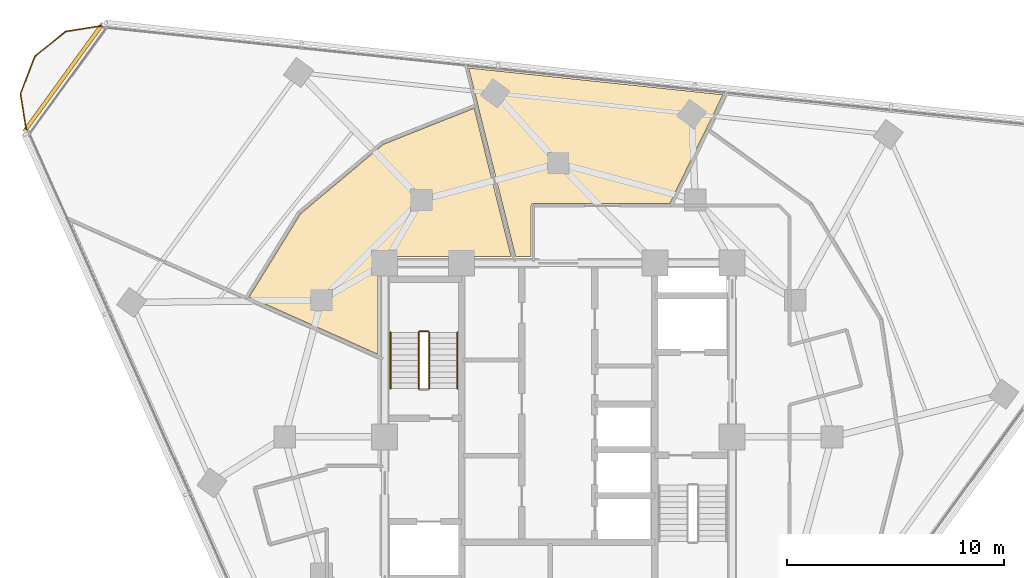
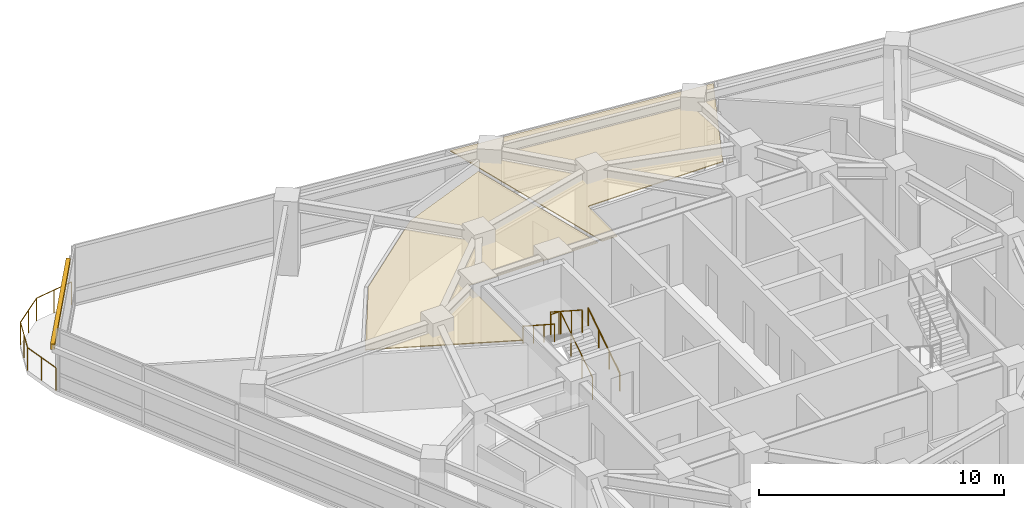
# One storey, part 14 of 15: 6 railings, 2 coverings, 1 shading device.
"""IFC4 building model written with IfcOpenShell, lengths in metres."""

from ifc_helpers import new_model, si_unit, direction, frame, origin, origin_2d, place, context, subcontext, project, spatial, polyline, rectangle, circle, outline, extrude, material, layer, layer_set, type_object, element, save


model = new_model("IFC4")

# Units and contexts
model_context = context("Model", 3, precision=1e-05, world=origin(), true_north=direction((0.0, 1.0)))
body_context = subcontext(model_context, "Body", "Model", "MODEL_VIEW")
ifc_project = project(units=[si_unit("LENGTHUNIT", "METRE"), si_unit("AREAUNIT", "SQUARE_METRE"), si_unit("VOLUMEUNIT", "CUBIC_METRE"), si_unit("PLANEANGLEUNIT", "RADIAN"), si_unit("MASSUNIT", "GRAM", prefix="KILO")], contexts=[model_context])

# Site, building, storey
site_placement = place(None, origin())
site = spatial("IfcSite", under=ifc_project, at=site_placement, CompositionType="ELEMENT")
building_placement = place(site_placement, origin())
building = spatial("IfcBuilding", under=site, at=building_placement, Name="Terralouvre Media Tower", CompositionType="ELEMENT")
storey_placement = place(building_placement, frame((0.0, 0.0, 230.0)))
storey = spatial("IfcBuildingStorey", under=building, at=storey_placement, Name="L59", CompositionType="ELEMENT", Elevation=230.0)

# Coverings
ifc_material_1 = material(Name="Perforated aluminium acoustic ceiling baffle", Category="aluminium")
ifc_layer_1 = layer(ifc_material_1, 0.0400390625, Name="Perforated Acoustic Metal Tile Ceiling CL-AC1")
ifc_layer_set_1 = layer_set([ifc_layer_1], Name="Perforated aluminium acoustic ceiling baffle")
covering_type = type_object("IfcCoveringType", Name="Perforated Acoustic Metal Tile Ceiling CL-AC1", PredefinedType="CEILING", material=ifc_layer_set_1)
covering_1_placement = place(storey_placement, frame((0.0, 0.0, 2.97998046875), z_axis=(0.0, 0.0, 1.0), x_axis=(0.587785252292, 0.809016994375, 0.0)))
element("IfcCovering", 1, at=covering_1_placement, inside=storey, type_object=covering_type, Name="L59 Legal Vetting Conference Room 8 Acoustic Ceiling", PredefinedType="CEILING", context=body_context, shape_type="SweptSolid", body=[
    extrude(outline(polyline([(5.565673828125, 6.477294921875), (5.98828125, 5.895751953125), (7.88134765625, 7.271240234375), (7.889404296875, 7.276611328125), (7.898193359375, 7.281005859375), (7.9072265625, 7.28466796875), (7.916748046875, 7.28759765625), (7.92626953125, 7.289306640625), (7.936279296875, 7.290283203125), (7.946044921875, 7.2900390625), (7.955810546875, 7.2890625), (7.96533203125, 7.287109375), (7.974609375, 7.2841796875), (7.983642578125, 7.2802734375), (7.992431640625, 7.275634765625), (8.00048828125, 7.27001953125), (8.008056640625, 7.263671875), (8.014892578125, 7.256591796875), (8.02099609375, 7.2490234375), (11.713134765625, 2.167236328125), (15.4658203125, 2.82861328125), (17.202392578125, 3.134521484375), (11.3154296875, 13.330322265625), (10.19287109375, 11.99267578125), (5.565673828125, 6.477294921875)])), origin(), (0.0, 0.0, 1.0), 0.0400390625),
])
covering_2_placement = place(storey_placement, frame((0.0, 0.0, 2.97998046875), z_axis=(0.0, 0.0, 1.0), x_axis=(0.587785252292, 0.809016994375, 0.0)))
element("IfcCovering", 2, at=covering_2_placement, inside=storey, type_object=covering_type, Name="L59 Fact-Check Reference Library 9 Acoustic Ceiling", PredefinedType="CEILING", context=body_context, shape_type="SweptSolid", body=[
    extrude(outline(polyline([(6.17626953125, 14.432861328125), (1.322509765625, 15.643310546875), (-3.150390625, 15.303955078125), (-1.802978515625, 8.9619140625), (1.757568359375, 11.548583984375), (1.765869140625, 11.553955078125), (1.7744140625, 11.55859375), (1.783447265625, 11.562255859375), (1.79296875, 11.56494140625), (1.802490234375, 11.56689453125), (1.8125, 11.567626953125), (1.822265625, 11.567626953125), (1.83203125, 11.56640625), (1.841552734375, 11.564453125), (1.850830078125, 11.5615234375), (1.85986328125, 11.5576171875), (1.86865234375, 11.552978515625), (1.876708984375, 11.54736328125), (1.88427734375, 11.541259765625), (1.89111328125, 11.5341796875), (1.897216796875, 11.526611328125), (5.444580078125, 6.64404296875), (9.966064453125, 12.033447265625), (6.17626953125, 14.432861328125)])), origin(), (0.0, 0.0, 1.0), 0.0400390625),
])

# Railings
ifc_material_2 = material(Name="Stainless steel 316 handrail and balustrade", Category="steel")
ifc_layer_2 = layer(ifc_material_2, 0.06005859375, Name="Roof Edge Safety Guardrail GR-ROOF1")
ifc_layer_set_2 = layer_set([ifc_layer_2], Name="Stainless steel 316 handrail and balustrade")
railing_type_1 = type_object("IfcRailingType", Name="Roof Edge Safety Guardrail GR-ROOF1", PredefinedType="GUARDRAIL", material=ifc_layer_set_2)
railing_1_placement = place(storey_placement, frame((-20.870361328125, 18.961181640625, 0.0)))
element("IfcRailing", 3, at=railing_1_placement, inside=storey, type_object=railing_type_1, Name="L59 Wind-Corner Perimeter Safety Guardrail C2", PredefinedType="GUARDRAIL", context=body_context, shape_type="SweptSolid", body=[
    extrude(circle(Radius=0.02099609375, at=origin_2d()), frame((0.0, 0.0, 1.12890625), z_axis=(-0.987731695444, -0.156160487372, 0.0), x_axis=(0.156160487372, -0.987731695444, 0.0)), (0.0, 0.0, 1.0), 1.8369140625),
    extrude(circle(Radius=0.02099609375, at=origin_2d()), frame((-1.814453125, -0.286865234375, 1.12890625), z_axis=(-0.777198436724, -0.629255583967, 0.0), x_axis=(0.629255583967, -0.777198436724, 0.0)), (0.0, 0.0, 1.0), 1.836669921875),
    extrude(circle(Radius=0.02099609375, at=origin_2d()), frame((-3.241943359375, -1.442626953125, 1.12890625), z_axis=(-0.35822186013, -0.933636491856, 0.0), x_axis=(0.933636491856, -0.35822186013, 0.0)), (0.0, 0.0, 1.0), 1.836669921875),
    extrude(circle(Radius=0.02099609375, at=origin_2d()), frame((-3.89990234375, -3.157470703125, 1.12890625), z_axis=(0.156699635824, -0.987646305178, 0.0), x_axis=(0.987646305178, 0.156699635824, 0.0)), (0.0, 0.0, 1.0), 1.8369140625),
    extrude(circle(Radius=0.01904296875, at=origin_2d()), origin(), (0.0, 0.0, 1.0), 1.10791015625),
    extrude(circle(Radius=0.01904296875, at=origin_2d()), frame((-0.9072265625, -0.1435546875, 0.0)), (0.0, 0.0, 1.0), 1.10791015625),
    extrude(circle(Radius=0.01904296875, at=origin_2d()), frame((-1.814453125, -0.286865234375, 0.0)), (0.0, 0.0, 1.0), 1.10791015625),
    extrude(circle(Radius=0.01904296875, at=origin_2d()), frame((-2.5283203125, -0.86474609375, 0.0)), (0.0, 0.0, 1.0), 1.10791015625),
    extrude(circle(Radius=0.01904296875, at=origin_2d()), frame((-3.241943359375, -1.442626953125, 0.0)), (0.0, 0.0, 1.0), 1.10791015625),
    extrude(circle(Radius=0.01904296875, at=origin_2d()), frame((-3.57080078125, -2.300048828125, 0.0)), (0.0, 0.0, 1.0), 1.10791015625),
    extrude(circle(Radius=0.01904296875, at=origin_2d()), frame((-3.89990234375, -3.157470703125, 0.0)), (0.0, 0.0, 1.0), 1.10791015625),
    extrude(circle(Radius=0.01904296875, at=origin_2d()), frame((-3.755859375, -4.064453125, 0.0)), (0.0, 0.0, 1.0), 1.10791015625),
    extrude(circle(Radius=0.01904296875, at=origin_2d()), frame((-3.612060546875, -4.9716796875, 0.0)), (0.0, 0.0, 1.0), 1.10791015625),
])
ifc_material_3 = material(Name="Stainless steel 316 handrail and balustrade", Category="steel")
ifc_layer_3 = layer(ifc_material_3, 0.050048828125, Name="Stair Flight Wall Handrail HR-INT1")
ifc_layer_set_3 = layer_set([ifc_layer_3], Name="Stainless steel 316 handrail and balustrade")
railing_type_2 = type_object("IfcRailingType", Name="Stair Flight Wall Handrail HR-INT1", PredefinedType="HANDRAIL", material=ifc_layer_set_3)
railing_2_placement = place(storey_placement, frame((-4.64990234375, 2.219970703125, 0.168212890625)))
element("IfcRailing", 4, at=railing_2_placement, inside=storey, type_object=railing_type_2, Name="L59 ST-01 stair handrail 1", PredefinedType="HANDRAIL", context=body_context, shape_type="SweptSolid", body=[
    extrude(circle(Radius=0.02392578125, at=origin_2d()), frame((0.0, 0.0, 0.8759765625), z_axis=(0.0, 0.839648411786, 0.543130320075), x_axis=(-1.0, 0.0, 0.0)), (0.0, 0.0, 1.0), 3.0966796875),
    extrude(circle(Radius=0.02099609375, at=origin_2d()), origin(), (0.0, 0.0, 1.0), 0.851806640625),
    extrude(circle(Radius=0.02099609375, at=origin_2d()), frame((0.0, 0.86669921875, 0.560546875)), (0.0, 0.0, 1.0), 0.851806640625),
    extrude(circle(Radius=0.02099609375, at=origin_2d()), frame((0.0, 1.7333984375, 1.121337890625)), (0.0, 0.0, 1.0), 0.851806640625),
    extrude(circle(Radius=0.02099609375, at=origin_2d()), frame((0.0, 2.60009765625, 1.681884765625)), (0.0, 0.0, 1.0), 0.851806640625),
])
railing_3_placement = place(storey_placement, frame((-7.72998046875, 4.820068359375, 2.01806640625)))
element("IfcRailing", 5, at=railing_3_placement, inside=storey, type_object=railing_type_2, Name="L59 ST-01 stair handrail 2", PredefinedType="HANDRAIL", context=body_context, shape_type="SweptSolid", body=[
    extrude(circle(Radius=0.02392578125, at=origin_2d()), frame((0.0, 0.0, 0.8759765625), z_axis=(0.0, -0.839648411786, 0.543130320075), x_axis=(1.0, 0.0, 0.0)), (0.0, 0.0, 1.0), 3.0966796875),
    extrude(circle(Radius=0.02099609375, at=origin_2d()), origin(), (0.0, 0.0, 1.0), 0.851806640625),
    extrude(circle(Radius=0.02099609375, at=origin_2d()), frame((0.0, -0.86669921875, 0.560546875)), (0.0, 0.0, 1.0), 0.851806640625),
    extrude(circle(Radius=0.02099609375, at=origin_2d()), frame((0.0, -1.7333984375, 1.121337890625)), (0.0, 0.0, 1.0), 0.851806640625),
    extrude(circle(Radius=0.02099609375, at=origin_2d()), frame((0.0, -2.60009765625, 1.681884765625)), (0.0, 0.0, 1.0), 0.851806640625),
])
ifc_material_4 = material(Name="Stainless steel 316 handrail and balustrade", Category="steel")
ifc_layer_4 = layer(ifc_material_4, 0.050048828125, Name="Stairwell Safety Guardrail GR-INT1")
ifc_layer_set_4 = layer_set([ifc_layer_4], Name="Stainless steel 316 handrail and balustrade")
railing_type_3 = type_object("IfcRailingType", Name="Stairwell Safety Guardrail GR-INT1", PredefinedType="GUARDRAIL", material=ifc_layer_set_4)
railing_4_placement = place(storey_placement, frame((-5.949951171875, 2.219970703125, 0.168212890625)))
element("IfcRailing", 6, at=railing_4_placement, inside=storey, type_object=railing_type_3, Name="L59 ST-01 stair guard 1", PredefinedType="GUARDRAIL", context=body_context, shape_type="SweptSolid", body=[
    extrude(circle(Radius=0.02392578125, at=origin_2d()), frame((0.0, 0.0, 1.1259765625), z_axis=(0.0, 0.839648411786, 0.543130320075), x_axis=(-1.0, 0.0, 0.0)), (0.0, 0.0, 1.0), 3.0966796875),
    extrude(circle(Radius=0.02099609375, at=origin_2d()), origin(), (0.0, 0.0, 1.0), 1.101806640625),
    extrude(circle(Radius=0.02099609375, at=origin_2d()), frame((0.0, 0.86669921875, 0.560546875)), (0.0, 0.0, 1.0), 1.101806640625),
    extrude(circle(Radius=0.02099609375, at=origin_2d()), frame((0.0, 1.7333984375, 1.121337890625)), (0.0, 0.0, 1.0), 1.101806640625),
    extrude(circle(Radius=0.02099609375, at=origin_2d()), frame((0.0, 2.60009765625, 1.681884765625)), (0.0, 0.0, 1.0), 1.101806640625),
])
railing_5_placement = place(storey_placement, frame((-6.0, 4.8701171875, 1.85009765625)))
element("IfcRailing", 7, at=railing_5_placement, inside=storey, type_object=railing_type_3, Name="L59 ST-01 stair guard 2", PredefinedType="GUARDRAIL", context=body_context, shape_type="SweptSolid", body=[
    extrude(circle(Radius=0.02392578125, at=origin_2d()), frame((0.0, 0.0, 1.1259765625), z_axis=(-1.0, 0.0, 0.0), x_axis=(0.0, -1.0, 0.0)), (0.0, 0.0, 1.0), 0.3798828125),
    extrude(circle(Radius=0.02099609375, at=origin_2d()), origin(), (0.0, 0.0, 1.0), 1.101806640625),
    extrude(circle(Radius=0.02099609375, at=origin_2d()), frame((-0.3798828125, 0.0, 0.0)), (0.0, 0.0, 1.0), 1.101806640625),
])
railing_6_placement = place(storey_placement, frame((-6.429931640625, 4.820068359375, 2.01806640625)))
element("IfcRailing", 8, at=railing_6_placement, inside=storey, type_object=railing_type_3, Name="L59 ST-01 stair guard 3", PredefinedType="GUARDRAIL", context=body_context, shape_type="SweptSolid", body=[
    extrude(circle(Radius=0.02392578125, at=origin_2d()), frame((0.0, 0.0, 1.1259765625), z_axis=(0.0, -0.839648411786, 0.543130320075), x_axis=(1.0, 0.0, 0.0)), (0.0, 0.0, 1.0), 3.0966796875),
    extrude(circle(Radius=0.02099609375, at=origin_2d()), origin(), (0.0, 0.0, 1.0), 1.101806640625),
    extrude(circle(Radius=0.02099609375, at=origin_2d()), frame((0.0, -0.86669921875, 0.560546875)), (0.0, 0.0, 1.0), 1.101806640625),
    extrude(circle(Radius=0.02099609375, at=origin_2d()), frame((0.0, -1.7333984375, 1.121337890625)), (0.0, 0.0, 1.0), 1.101806640625),
    extrude(circle(Radius=0.02099609375, at=origin_2d()), frame((0.0, -2.60009765625, 1.681884765625)), (0.0, 0.0, 1.0), 1.101806640625),
])

# Shading device
ifc_material_5 = material(Name="Extruded terracotta baguette sunshade louvres", Category="masonry")
shading_device_type = type_object("IfcShadingDeviceType", Name="Terracotta Baguette Sunshade Louvre Screen TB-LV1", PredefinedType="USERDEFINED", material=ifc_material_5)
shading_device_placement = place(storey_placement, frame((-22.785400390625, 16.5546875, 2.02392578125), z_axis=(0.0, 0.0, 1.0), x_axis=(-0.58778588998, -0.809016531067, 0.0)))
element("IfcShadingDevice", 9, at=shading_device_placement, inside=storey, type_object=shading_device_type, Name="CW-L59-C2 Terracotta Baguette Sunshade Louvre", ObjectType="BAGUETTE", PredefinedType="USERDEFINED", context=body_context, shape_type="SweptSolid", body=[
    extrude(rectangle(XDim=6.148681640625, YDim=0.179931640625, at=origin_2d()), origin(), (0.0, 0.0, 1.0), 0.280029296875),
])

save(model, "model.ifc")
